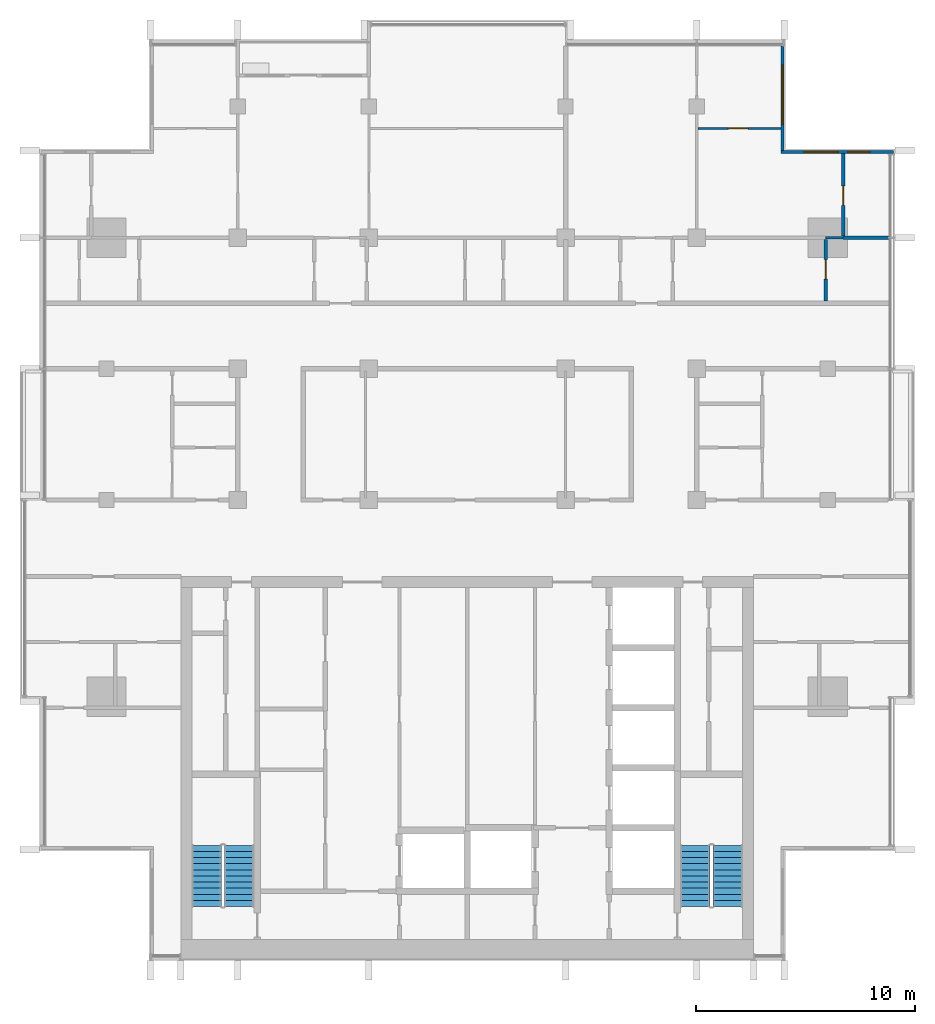
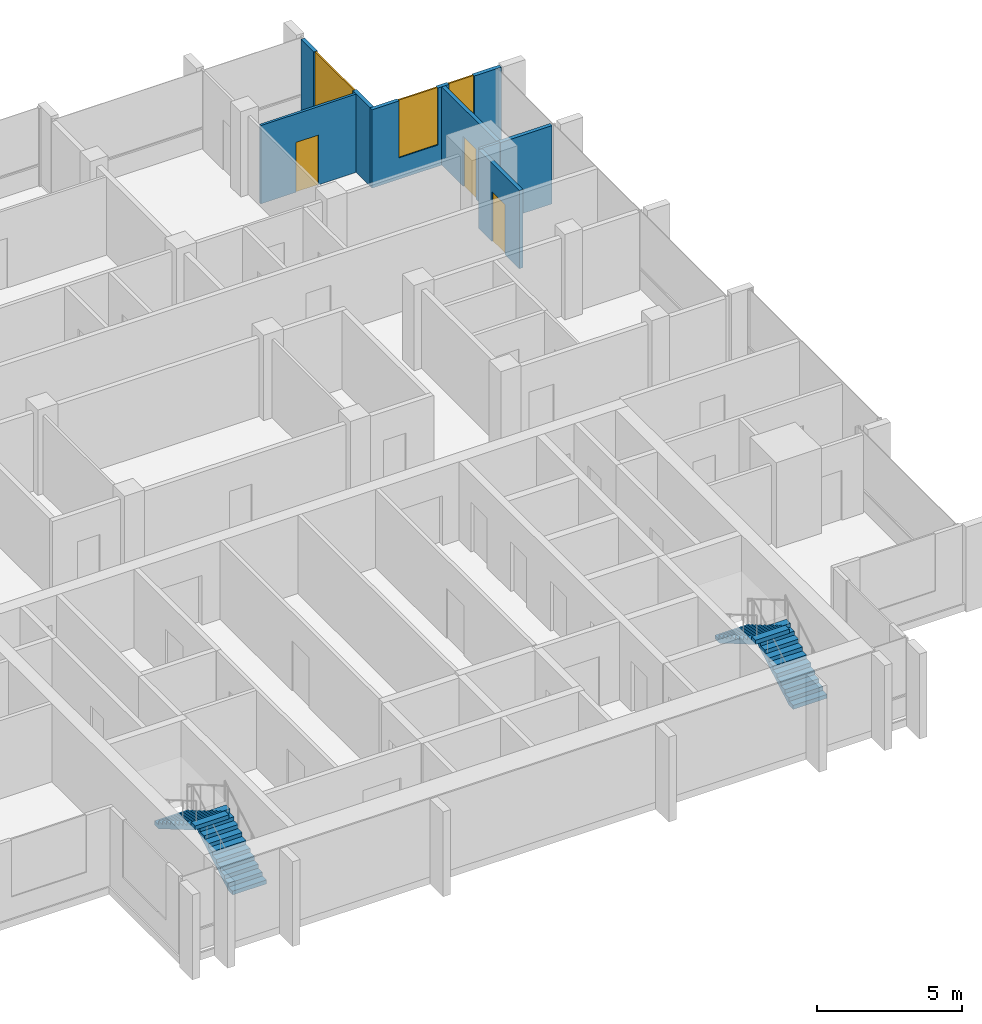
# One storey, part 11 of 16: 7 walls, 4 stair flights, 3 doors, 3 windows, 6 openings, 2 elements without a shape of their own.
"""IFC4 building model written with IfcOpenShell, lengths in metres."""

from ifc_helpers import new_model, si_unit, direction, frame, frame_2d, origin, place, context, subcontext, project, spatial, polyline, rectangle, outline, extrude, material, layer, layer_set, type_object, element, fill, aggregate, save


model = new_model("IFC4")

# Units and contexts
model_context = context("Model", 3, precision=1e-05, world=origin(), true_north=direction((0.0, 1.0)))
body_context = subcontext(model_context, "Body", "Model", "MODEL_VIEW")
ifc_project = project(units=[si_unit("LENGTHUNIT", "METRE"), si_unit("AREAUNIT", "SQUARE_METRE"), si_unit("VOLUMEUNIT", "CUBIC_METRE"), si_unit("PLANEANGLEUNIT", "RADIAN"), si_unit("MASSUNIT", "GRAM", prefix="KILO")], contexts=[model_context])

# Site, building, storey
site_placement = place(None, origin())
site = spatial("IfcSite", under=ifc_project, at=site_placement, CompositionType="ELEMENT")
building_placement = place(site_placement, origin())
building = spatial("IfcBuilding", under=site, at=building_placement, Name="Finial Court Residences", CompositionType="ELEMENT")
storey_placement = place(building_placement, frame((0.0, 0.0, 277.10009765625)))
storey = spatial("IfcBuildingStorey", under=building, at=storey_placement, Name="L70", CompositionType="ELEMENT", Elevation=277.10009765625)

# Wall
ifc_material_1 = material(Name="Gypsum board")
ifc_layer_1 = layer(ifc_material_1, 0.012451171875)
ifc_material_2 = material(Name="Mineral wool in light-gauge frame")
ifc_layer_2 = layer(ifc_material_2, 0.074951171875)
ifc_layer_3 = layer(ifc_material_1, 0.012451171875)
ifc_layer_set_1 = layer_set([ifc_layer_1, ifc_layer_2, ifc_layer_3], Name="Gypsum board partition 100")
wall_type_1 = type_object("IfcWallType", Name="Gypsum board partition 100", PredefinedType="PARTITIONING", material=ifc_layer_set_1)
wall_1_placement = place(storey_placement, frame((16.39990234375, 7.5, 0.0), z_axis=(0.0, 0.0, 1.0), x_axis=(1.0, 0.0, 0.0)))
element("IfcWall", 1, at=wall_1_placement, inside=storey, type_object=wall_type_1, Name="Partition L70-020", PredefinedType="PARTITIONING", context=body_context, shape_type="SweptSolid", body=[
    extrude(rectangle(XDim=0.800048828125, YDim=0.10009765625, at=frame_2d((0.39990234375, 0.0))), origin(), (0.0, 0.0, 1.0), 3.2998046875),
])

# Wall, opening, door
wall_2_placement = place(storey_placement, frame((10.550048828125, 12.5, 0.0), z_axis=(0.0, 0.0, 1.0), x_axis=(1.0, 0.0, 0.0)))
wall_2 = element("IfcWall", 2, at=wall_2_placement, inside=storey, type_object=wall_type_1, Name="Partition L70-028", PredefinedType="PARTITIONING", context=body_context, shape_type="SweptSolid", body=[
    extrude(rectangle(XDim=3.800048828125, YDim=0.10009765625, at=frame_2d((1.89990234375, 0.0))), origin(), (0.0, 0.0, 1.0), 3.2998046875),
])
opening_1_placement = place(wall_2_placement, frame((1.39990234375, 0.0, 0.0)))
opening_1 = element("IfcOpeningElement", 3, at=opening_1_placement, cuts=wall_2, Name="Opening L70-D022", PredefinedType="OPENING", context=body_context, shape_type="SweptSolid", body=[
    extrude(rectangle(XDim=0.89990234375, YDim=2.10009765625, at=frame_2d((0.449951171875, 1.050048828125))), frame((0.0, 0.06005859375, 0.0), z_axis=(0.0, -1.0, 0.0), x_axis=(1.0, 0.0, 0.0)), (0.0, 0.0, 1.0), 0.1201171875),
])
ifc_material_3 = material(Name="Timber door leaf in timber frame", Category="wood")
door_type = type_object("IfcDoorType", Name="Door set 900 x 2100", OperationType="SINGLE_SWING_LEFT", PredefinedType="DOOR", material=ifc_material_3)
door_1_placement = place(opening_1_placement, origin())
door_1 = element("IfcDoor", 4, at=door_1_placement, inside=storey, type_object=door_type, Name="Door L70-D022", OperationType="SINGLE_SWING_RIGHT", OverallHeight=2.10009765625, OverallWidth=0.89990234375, PredefinedType="DOOR", context=body_context, shape_type="SweptSolid", body=[
    extrude(rectangle(XDim=0.89990234375, YDim=2.10009765625, at=frame_2d((0.449951171875, 1.050048828125))), frame((0.0, 0.02490234375, 0.0), z_axis=(0.0, -1.0, 0.0), x_axis=(1.0, 0.0, 0.0)), (0.0, 0.0, 1.0), 0.050048828125),
])
fill(opening_1, door_1)

# Wall
ifc_material_4 = material(Name="Moisture-resistant gypsum board")
ifc_layer_4 = layer(ifc_material_4, 0.012451171875)
ifc_layer_5 = layer(ifc_material_2, 0.125)
ifc_layer_6 = layer(ifc_material_4, 0.012451171875)
ifc_layer_set_2 = layer_set([ifc_layer_4, ifc_layer_5, ifc_layer_6], Name="Gypsum board wet-area partition 150")
wall_type_2 = type_object("IfcWallType", Name="Gypsum board wet-area partition 150", PredefinedType="PARTITIONING", material=ifc_layer_set_2)
wall_3_placement = place(storey_placement, frame((17.199951171875, 7.5, 0.0), z_axis=(0.0, 0.0, 1.0), x_axis=(1.0, 0.0, 0.0)))
element("IfcWall", 5, at=wall_3_placement, inside=storey, type_object=wall_type_2, Name="Partition L70-025", PredefinedType="PARTITIONING", context=body_context, shape_type="SweptSolid", body=[
    extrude(rectangle(XDim=2.0625, YDim=0.14990234375, at=frame_2d((1.03125, 0.0))), origin(), (0.0, 0.0, 1.0), 3.2998046875),
])

# Wall, opening, door
wall_4_placement = place(storey_placement, frame((16.39990234375, 4.60009765625, 0.0), z_axis=(0.0, 0.0, 1.0), x_axis=(0.0, 1.0, 0.0)))
wall_4 = element("IfcWall", 6, at=wall_4_placement, inside=storey, type_object=wall_type_2, Name="Partition L70-055", PredefinedType="PARTITIONING", context=body_context, shape_type="SweptSolid", body=[
    extrude(rectangle(XDim=2.824951171875, YDim=0.14990234375, at=frame_2d((1.41259765625, 0.0))), origin(), (0.0, 0.0, 1.0), 3.2998046875),
])
opening_2_placement = place(wall_4_placement, frame((1.0, 0.0, 0.0)))
opening_2 = element("IfcOpeningElement", 7, at=opening_2_placement, cuts=wall_4, Name="Opening L70-D039", PredefinedType="OPENING", context=body_context, shape_type="SweptSolid", body=[
    extrude(rectangle(XDim=0.89990234375, YDim=2.10009765625, at=frame_2d((0.449951171875, 1.050048828125))), frame((0.0, 0.0849609375, 0.0), z_axis=(0.0, -1.0, 0.0), x_axis=(1.0, 0.0, 0.0)), (0.0, 0.0, 1.0), 0.169921875),
])
door_2_placement = place(opening_2_placement, origin())
door_2 = element("IfcDoor", 8, at=door_2_placement, inside=storey, type_object=door_type, Name="Door L70-D039", OperationType="SINGLE_SWING_RIGHT", OverallHeight=2.10009765625, OverallWidth=0.89990234375, PredefinedType="DOOR", context=body_context, shape_type="SweptSolid", body=[
    extrude(rectangle(XDim=0.89990234375, YDim=2.10009765625, at=frame_2d((0.449951171875, 1.050048828125))), frame((0.0, 0.02490234375, 0.0), z_axis=(0.0, -1.0, 0.0), x_axis=(1.0, 0.0, 0.0)), (0.0, 0.0, 1.0), 0.050048828125),
])
fill(opening_2, door_2)

wall_5_placement = place(storey_placement, frame((17.199951171875, 7.574951171875, 0.0), z_axis=(0.0, 0.0, 1.0), x_axis=(0.0, 1.0, 0.0)))
wall_5 = element("IfcWall", 9, at=wall_5_placement, inside=storey, type_object=wall_type_2, Name="Partition L70-056", PredefinedType="PARTITIONING", context=body_context, shape_type="SweptSolid", body=[
    extrude(rectangle(XDim=3.775146484375, YDim=0.14990234375, at=frame_2d((1.8876953125, 0.0))), origin(), (0.0, 0.0, 1.0), 3.2998046875),
])
opening_3_placement = place(wall_5_placement, frame((1.39990234375, 0.0, 0.0)))
opening_3 = element("IfcOpeningElement", 10, at=opening_3_placement, cuts=wall_5, Name="Opening L70-D040", PredefinedType="OPENING", context=body_context, shape_type="SweptSolid", body=[
    extrude(rectangle(XDim=0.89990234375, YDim=2.10009765625, at=frame_2d((0.449951171875, 1.050048828125))), frame((0.0, 0.0849609375, 0.0), z_axis=(0.0, -1.0, 0.0), x_axis=(1.0, 0.0, 0.0)), (0.0, 0.0, 1.0), 0.169921875),
])
door_3_placement = place(opening_3_placement, origin())
door_3 = element("IfcDoor", 11, at=door_3_placement, inside=storey, type_object=door_type, Name="Door L70-D040", OperationType="SINGLE_SWING_LEFT", OverallHeight=2.10009765625, OverallWidth=0.89990234375, PredefinedType="DOOR", context=body_context, shape_type="SweptSolid", body=[
    extrude(rectangle(XDim=0.89990234375, YDim=2.10009765625, at=frame_2d((0.449951171875, 1.050048828125))), frame((0.0, 0.02490234375, 0.0), z_axis=(0.0, -1.0, 0.0), x_axis=(1.0, 0.0, 0.0)), (0.0, 0.0, 1.0), 0.050048828125),
])
fill(opening_3, door_3)

# Wall, opening, window
ifc_material_5 = material(Name="Natural limestone", Category="masonry")
ifc_layer_7 = layer(ifc_material_5, 0.14990234375)
ifc_layer_set_3 = layer_set([ifc_layer_7], Name="Limestone clad wall 150")
wall_type_3 = type_object("IfcWallType", Name="Limestone clad wall 150", PredefinedType="SOLIDWALL", material=ifc_layer_set_3)
wall_6_placement = place(storey_placement, frame((14.425048828125, 16.262451171875, 0.0), z_axis=(0.0, 0.0, 1.0), x_axis=(0.0, -1.0, 0.0)))
wall_6 = element("IfcWall", 12, at=wall_6_placement, inside=storey, type_object=wall_type_3, Name="E-L70-NWE18", PredefinedType="SOLIDWALL", context=body_context, shape_type="SweptSolid", body=[
    extrude(rectangle(XDim=4.762451171875, YDim=0.14990234375, at=frame_2d((2.38134765625, 0.0))), origin(), (0.0, 0.0, 1.0), 3.2998046875),
])
opening_4_placement = place(wall_6_placement, frame((0.88134765625, 0.0, 0.89990234375)))
opening_4 = element("IfcOpeningElement", 13, at=opening_4_placement, cuts=wall_6, Name="Opening WE70-08", PredefinedType="OPENING", context=body_context, shape_type="SweptSolid", body=[
    extrude(rectangle(XDim=2.680908203125, YDim=2.39990234375, at=frame_2d((1.34033203125, 1.199951171875))), frame((0.0, 0.0849609375, 0.0), z_axis=(0.0, -1.0, 0.0), x_axis=(1.0, 0.0, 0.0)), (0.0, 0.0, 1.0), 0.169921875),
])
ifc_material_6 = material(Name="Clear low-e glass", Category="glass")
window_type_1 = type_object("IfcWindowType", Name="Corner window 2681 x 2400", PartitioningType="SINGLE_PANEL", PredefinedType="WINDOW", material=ifc_material_6)
window_1_placement = place(opening_4_placement, origin())
window_1 = element("IfcWindow", 14, at=window_1_placement, inside=storey, type_object=window_type_1, Name="E-L70-NWE18-W1", OverallHeight=2.39990234375, OverallWidth=2.680908203125, PartitioningType="SINGLE_PANEL", PredefinedType="WINDOW", context=body_context, shape_type="SweptSolid", body=[
    extrude(rectangle(XDim=2.680908203125, YDim=2.39990234375, at=frame_2d((1.34033203125, 1.199951171875))), frame((0.0, 0.030029296875, 0.0), z_axis=(0.0, -1.0, 0.0), x_axis=(1.0, 0.0, 0.0)), (0.0, 0.0, 1.0), 0.06005859375),
])
fill(opening_4, window_1)

# Wall, openings, windows
wall_7_placement = place(storey_placement, frame((14.35009765625, 11.425048828125, 0.0), z_axis=(0.0, 0.0, 1.0), x_axis=(1.0, 0.0, 0.0)))
wall_7 = element("IfcWall", 15, at=wall_7_placement, inside=storey, type_object=wall_type_3, Name="E-L70-NWN19", PredefinedType="SOLIDWALL", context=body_context, shape_type="SweptSolid", body=[
    extrude(rectangle(XDim=5.14990234375, YDim=0.14990234375, at=frame_2d((2.574951171875, 0.0))), origin(), (0.0, 0.0, 1.0), 3.2998046875),
])
opening_5_placement = place(wall_7_placement, frame((1.074951171875, 0.0, 0.89990234375)))
opening_5 = element("IfcOpeningElement", 16, at=opening_5_placement, cuts=wall_7, Name="Opening WE70-09", PredefinedType="OPENING", context=body_context, shape_type="SweptSolid", body=[
    extrude(rectangle(XDim=1.550048828125, YDim=2.39990234375, at=frame_2d((0.77490234375, 1.199951171875))), frame((0.0, 0.0849609375, 0.0), z_axis=(0.0, -1.0, 0.0), x_axis=(1.0, 0.0, 0.0)), (0.0, 0.0, 1.0), 0.169921875),
])
opening_6_placement = place(wall_7_placement, frame((3.074951171875, 0.0, 0.89990234375)))
opening_6 = element("IfcOpeningElement", 17, at=opening_6_placement, cuts=wall_7, Name="Opening WE70-10", PredefinedType="OPENING", context=body_context, shape_type="SweptSolid", body=[
    extrude(rectangle(XDim=1.0, YDim=2.39990234375, at=frame_2d((0.5, 1.199951171875))), frame((0.0, 0.0849609375, 0.0), z_axis=(0.0, -1.0, 0.0), x_axis=(1.0, 0.0, 0.0)), (0.0, 0.0, 1.0), 0.169921875),
])
window_type_2 = type_object("IfcWindowType", Name="Corner window 1000 x 2400", PartitioningType="SINGLE_PANEL", PredefinedType="WINDOW", material=ifc_material_6)
window_2_placement = place(opening_6_placement, origin())
window_2 = element("IfcWindow", 18, at=window_2_placement, inside=storey, type_object=window_type_2, Name="E-L70-NWN19-W2", OverallHeight=2.39990234375, OverallWidth=1.0, PartitioningType="SINGLE_PANEL", PredefinedType="WINDOW", context=body_context, shape_type="SweptSolid", body=[
    extrude(rectangle(XDim=1.0, YDim=2.39990234375, at=frame_2d((0.5, 1.199951171875))), frame((0.0, 0.030029296875, 0.0), z_axis=(0.0, -1.0, 0.0), x_axis=(1.0, 0.0, 0.0)), (0.0, 0.0, 1.0), 0.06005859375),
])
fill(opening_6, window_2)
window_type_3 = type_object("IfcWindowType", Name="Corner window 1550 x 2400", PartitioningType="SINGLE_PANEL", PredefinedType="WINDOW", material=ifc_material_6)
window_3_placement = place(opening_5_placement, origin())
window_3 = element("IfcWindow", 19, at=window_3_placement, inside=storey, type_object=window_type_3, Name="E-L70-NWN19-W1", OverallHeight=2.39990234375, OverallWidth=1.550048828125, PartitioningType="SINGLE_PANEL", PredefinedType="WINDOW", context=body_context, shape_type="SweptSolid", body=[
    extrude(rectangle(XDim=1.550048828125, YDim=2.39990234375, at=frame_2d((0.77490234375, 1.199951171875))), frame((0.0, 0.030029296875, 0.0), z_axis=(0.0, -1.0, 0.0), x_axis=(1.0, 0.0, 0.0)), (0.0, 0.0, 1.0), 0.06005859375),
])
fill(opening_5, window_3)

# Stair, stair flights
ifc_material_7 = material(Name="Concrete C50/60", Category="concrete")
stair_type = type_object("IfcStairType", Name="Exit stair 22 risers of 163.6 mm", PredefinedType="HALF_TURN_STAIR", material=ifc_material_7)
stair_1_placement = place(storey_placement, origin())
stair_1 = element("IfcStair", 20, at=stair_1_placement, inside=storey, type_object=stair_type, Name="L70 Exit stair ST-1", PredefinedType="HALF_TURN_STAIR")
stair_flight_type = type_object("IfcStairFlightType", Name="Exit stair flight", PredefinedType="STRAIGHT", material=ifc_material_7)
stair_flight_1_placement = place(storey_placement, frame((-10.425048828125, -23.10009765625, 0.0), z_axis=(0.0, 0.0, 1.0), x_axis=(0.0, 1.0, 0.0)))
stair_flight_1 = element("IfcStairFlight", 21, at=stair_flight_1_placement, type_object=stair_flight_type, Name="ST-1 flight 1", NumberOfRisers=11, NumberOfTreads=10, PredefinedType="STRAIGHT", RiserHeight=0.163636364, TreadLength=0.28, context=body_context, shape_type="SweptSolid", body=[
    extrude(outline(polyline([(0.0, 0.0), (0.0, 0.16357421875), (0.280029296875, 0.16357421875), (0.280029296875, 0.327392578125), (0.56005859375, 0.327392578125), (0.56005859375, 0.490966796875), (0.840087890625, 0.490966796875), (0.840087890625, 0.654541015625), (1.1201171875, 0.654541015625), (1.1201171875, 0.818115234375), (1.39990234375, 0.818115234375), (1.39990234375, 0.98193359375), (1.679931640625, 0.98193359375), (1.679931640625, 1.1455078125), (1.9599609375, 1.1455078125), (1.9599609375, 1.30908203125), (2.239990234375, 1.30908203125), (2.239990234375, 1.47265625), (2.52001953125, 1.47265625), (2.52001953125, 1.636474609375), (2.800048828125, 1.636474609375), (2.800048828125, 1.800048828125), (2.800048828125, 1.462646484375), (0.297119140625, 0.0), (0.0, 0.0)])), frame((0.0, 0.675048828125, 0.0), z_axis=(0.0, -1.0, 0.0), x_axis=(1.0, 0.0, 0.0)), (0.0, 0.0, 1.0), 1.35009765625),
])
stair_flight_2_placement = place(storey_placement, frame((-11.925048828125, -20.300048828125, 1.7998046875), z_axis=(0.0, 0.0, 1.0), x_axis=(0.0, -1.0, 0.0)))
stair_flight_2 = element("IfcStairFlight", 22, at=stair_flight_2_placement, type_object=stair_flight_type, Name="ST-1 flight 2", NumberOfRisers=11, NumberOfTreads=10, PredefinedType="STRAIGHT", RiserHeight=0.163636364, TreadLength=0.28, context=body_context, shape_type="SweptSolid", body=[
    extrude(outline(polyline([(0.0, 0.0), (0.0, 0.16357421875), (0.280029296875, 0.16357421875), (0.280029296875, 0.327392578125), (0.56005859375, 0.327392578125), (0.56005859375, 0.490966796875), (0.840087890625, 0.490966796875), (0.840087890625, 0.654541015625), (1.1201171875, 0.654541015625), (1.1201171875, 0.818115234375), (1.39990234375, 0.818115234375), (1.39990234375, 0.98193359375), (1.679931640625, 0.98193359375), (1.679931640625, 1.1455078125), (1.9599609375, 1.1455078125), (1.9599609375, 1.30908203125), (2.239990234375, 1.30908203125), (2.239990234375, 1.47265625), (2.52001953125, 1.47265625), (2.52001953125, 1.636474609375), (2.800048828125, 1.636474609375), (2.800048828125, 1.800048828125), (2.800048828125, 1.462646484375), (0.297119140625, 0.0), (0.0, 0.0)])), frame((0.0, 0.675048828125, 0.0), z_axis=(0.0, -1.0, 0.0), x_axis=(1.0, 0.0, 0.0)), (0.0, 0.0, 1.0), 1.35009765625),
])
aggregate(stair_1, [stair_flight_1, stair_flight_2])

stair_2_placement = place(storey_placement, origin())
stair_2 = element("IfcStair", 23, at=stair_2_placement, inside=storey, type_object=stair_type, Name="L70 Exit stair ST-2", PredefinedType="HALF_TURN_STAIR")
stair_flight_3_placement = place(storey_placement, frame((11.925048828125, -23.10009765625, 0.0), z_axis=(0.0, 0.0, 1.0), x_axis=(0.0, 1.0, 0.0)))
stair_flight_3 = element("IfcStairFlight", 24, at=stair_flight_3_placement, type_object=stair_flight_type, Name="ST-2 flight 1", NumberOfRisers=11, NumberOfTreads=10, PredefinedType="STRAIGHT", RiserHeight=0.163636364, TreadLength=0.28, context=body_context, shape_type="SweptSolid", body=[
    extrude(outline(polyline([(0.0, 0.0), (0.0, 0.16357421875), (0.280029296875, 0.16357421875), (0.280029296875, 0.327392578125), (0.56005859375, 0.327392578125), (0.56005859375, 0.490966796875), (0.840087890625, 0.490966796875), (0.840087890625, 0.654541015625), (1.1201171875, 0.654541015625), (1.1201171875, 0.818115234375), (1.39990234375, 0.818115234375), (1.39990234375, 0.98193359375), (1.679931640625, 0.98193359375), (1.679931640625, 1.1455078125), (1.9599609375, 1.1455078125), (1.9599609375, 1.30908203125), (2.239990234375, 1.30908203125), (2.239990234375, 1.47265625), (2.52001953125, 1.47265625), (2.52001953125, 1.636474609375), (2.800048828125, 1.636474609375), (2.800048828125, 1.800048828125), (2.800048828125, 1.462646484375), (0.297119140625, 0.0), (0.0, 0.0)])), frame((0.0, 0.675048828125, 0.0), z_axis=(0.0, -1.0, 0.0), x_axis=(1.0, 0.0, 0.0)), (0.0, 0.0, 1.0), 1.35009765625),
])
stair_flight_4_placement = place(storey_placement, frame((10.425048828125, -20.300048828125, 1.7998046875), z_axis=(0.0, 0.0, 1.0), x_axis=(0.0, -1.0, 0.0)))
stair_flight_4 = element("IfcStairFlight", 25, at=stair_flight_4_placement, type_object=stair_flight_type, Name="ST-2 flight 2", NumberOfRisers=11, NumberOfTreads=10, PredefinedType="STRAIGHT", RiserHeight=0.163636364, TreadLength=0.28, context=body_context, shape_type="SweptSolid", body=[
    extrude(outline(polyline([(0.0, 0.0), (0.0, 0.16357421875), (0.280029296875, 0.16357421875), (0.280029296875, 0.327392578125), (0.56005859375, 0.327392578125), (0.56005859375, 0.490966796875), (0.840087890625, 0.490966796875), (0.840087890625, 0.654541015625), (1.1201171875, 0.654541015625), (1.1201171875, 0.818115234375), (1.39990234375, 0.818115234375), (1.39990234375, 0.98193359375), (1.679931640625, 0.98193359375), (1.679931640625, 1.1455078125), (1.9599609375, 1.1455078125), (1.9599609375, 1.30908203125), (2.239990234375, 1.30908203125), (2.239990234375, 1.47265625), (2.52001953125, 1.47265625), (2.52001953125, 1.636474609375), (2.800048828125, 1.636474609375), (2.800048828125, 1.800048828125), (2.800048828125, 1.462646484375), (0.297119140625, 0.0), (0.0, 0.0)])), frame((0.0, 0.675048828125, 0.0), z_axis=(0.0, -1.0, 0.0), x_axis=(1.0, 0.0, 0.0)), (0.0, 0.0, 1.0), 1.35009765625),
])
aggregate(stair_2, [stair_flight_3, stair_flight_4])

save(model, "model.ifc")
